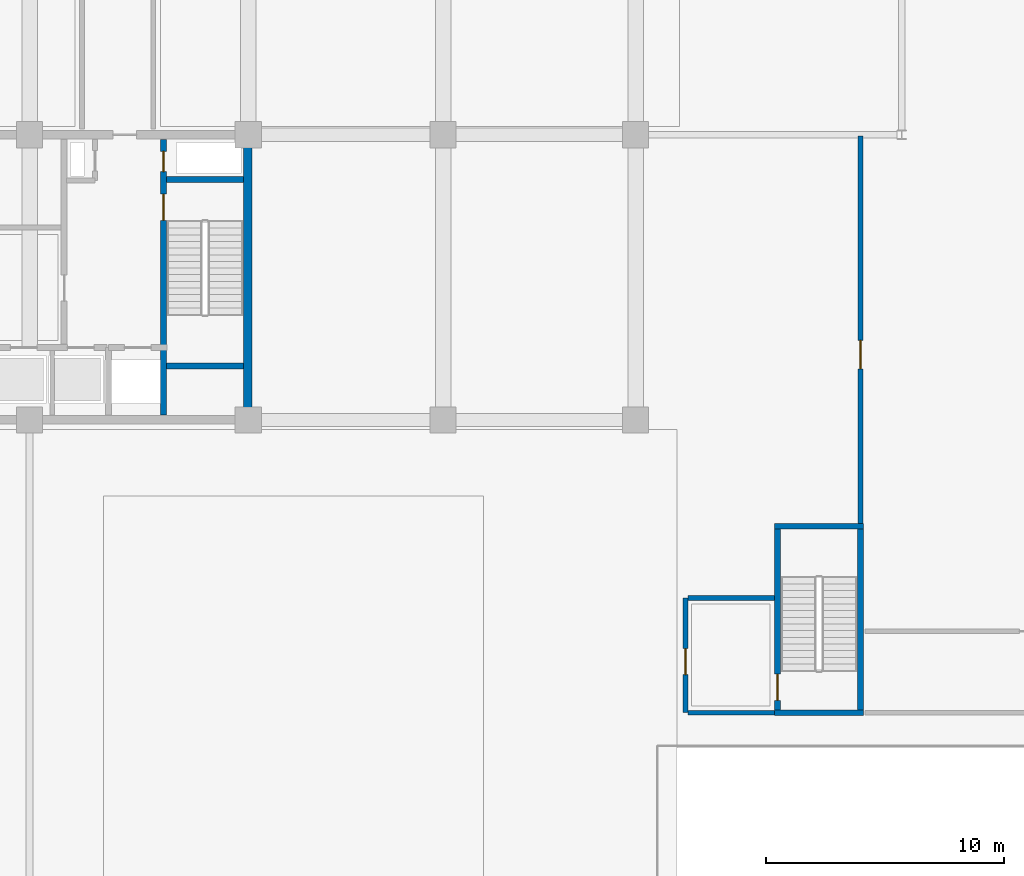
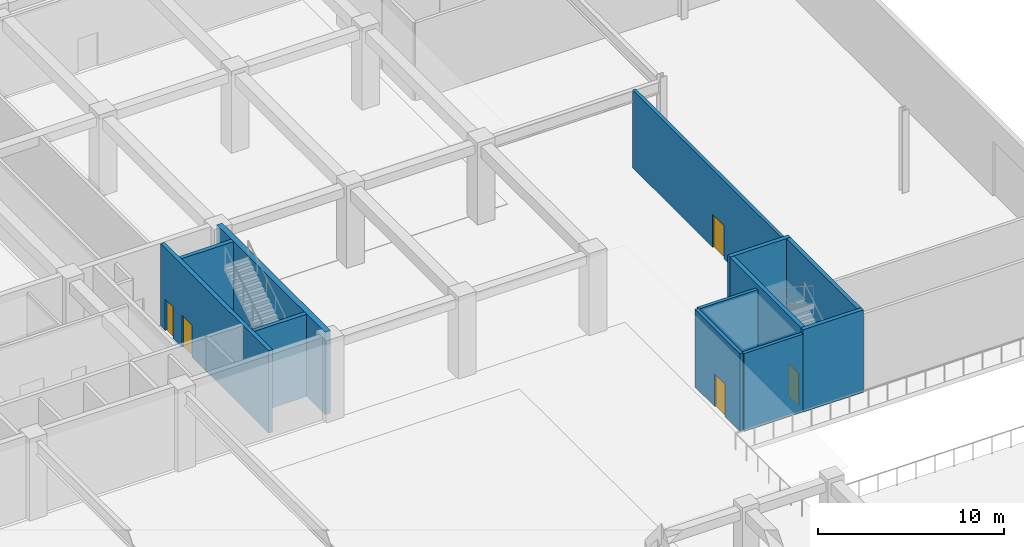
# One storey, part 28 of 46: 12 walls, 5 doors, 5 openings.
"""IFC4 building model written with IfcOpenShell, lengths in metres."""

from ifc_helpers import new_model, si_unit, direction, frame, frame_2d, origin, place, context, subcontext, project, spatial, rectangle, extrude, material, layer, layer_set, type_object, element, fill, save


model = new_model("IFC4")

# Units and contexts
model_context = context("Model", 3, precision=1e-05, world=origin(), true_north=direction((0.0, 1.0)))
body_context = subcontext(model_context, "Body", "Model", "MODEL_VIEW")
ifc_project = project(units=[si_unit("LENGTHUNIT", "METRE"), si_unit("AREAUNIT", "SQUARE_METRE"), si_unit("VOLUMEUNIT", "CUBIC_METRE"), si_unit("PLANEANGLEUNIT", "RADIAN"), si_unit("MASSUNIT", "GRAM", prefix="KILO")], contexts=[model_context])

# Site, building, storey
site_placement = place(None, origin())
site = spatial("IfcSite", under=ifc_project, at=site_placement, CompositionType="ELEMENT")
building_placement = place(site_placement, origin())
building = spatial("IfcBuilding", under=site, at=building_placement, Name="Korimba Cascade Residences", CompositionType="ELEMENT")
storey_placement = place(building_placement, origin())
storey = spatial("IfcBuildingStorey", under=building, at=storey_placement, Name="L00", CompositionType="ELEMENT", Elevation=0.0)

# Wall
ifc_material_1 = material(Name="Concrete C65/80", Category="concrete")
ifc_layer_1 = layer(ifc_material_1, 0.35009765625)
ifc_layer_set_1 = layer_set([ifc_layer_1], Name="Concrete C65/80")
wall_type_1 = type_object("IfcWallType", Name="WAL-CORE-350", PredefinedType="SHEAR", material=ifc_layer_set_1)
wall_1_placement = place(storey_placement, frame((112.074951171875, 55.375, 0.0), z_axis=(0.0, 0.0, 1.0), x_axis=(0.0, 1.0, 0.0)))
element("IfcWall", 1, at=wall_1_placement, inside=storey, type_object=wall_type_1, Name="L00 Core Shear Wall CW-L00-T1-E", PredefinedType="SHEAR", context=body_context, shape_type="SweptSolid", body=[
    extrude(rectangle(XDim=11.64990234375, YDim=0.35009765625, at=frame_2d((5.824951171875, 0.0))), origin(), (0.0, 0.0, 1.0), 5.39990234375),
])

# Wall, opening, door
ifc_material_2 = material(Name="Concrete C40/50", Category="concrete")
ifc_layer_2 = layer(ifc_material_2, 0.199951171875)
ifc_layer_set_2 = layer_set([ifc_layer_2], Name="Concrete C40/50")
wall_type_2 = type_object("IfcWallType", Name="WAL-PART-200", PredefinedType="PARTITIONING", material=ifc_layer_set_2)
wall_2_placement = place(storey_placement, frame((130.5, 42.875, 0.0), z_axis=(0.0, 0.0, 1.0), x_axis=(0.0, 1.0, 0.0)))
wall_2 = element("IfcWall", 2, at=wall_2_placement, inside=storey, type_object=wall_type_2, Name="L00 Partition Wall CW-L00-PLEW", PredefinedType="PARTITIONING", context=body_context, shape_type="SweptSolid", body=[
    extrude(rectangle(XDim=4.824951171875, YDim=0.199951171875, at=frame_2d((2.41259765625, 0.0))), origin(), (0.0, 0.0, 1.0), 5.10009765625),
])
opening_1_placement = place(wall_2_placement, frame((1.60009765625, 0.0, 0.0)))
opening_1 = element("IfcOpeningElement", 3, at=opening_1_placement, cuts=wall_2, Name="Opening D-FD6", PredefinedType="OPENING", context=body_context, shape_type="SweptSolid", body=[
    extrude(rectangle(XDim=1.10009765625, YDim=2.14990234375, at=frame_2d((0.550048828125, 1.074951171875))), frame((0.0, 0.10986328125, 0.0), z_axis=(0.0, -1.0, 0.0), x_axis=(1.0, 0.0, 0.0)), (0.0, 0.0, 1.0), 0.219970703125),
])
ifc_material_3 = material(Name="Fire-Rated Timber Stair Lobby Door", Category="wood")
door_type_1 = type_object("IfcDoorType", Name="DR-FD90-1100", OperationType="NOTDEFINED", PredefinedType="DOOR", material=ifc_material_3)
door_1_placement = place(opening_1_placement, origin())
door_1 = element("IfcDoor", 4, at=door_1_placement, inside=storey, type_object=door_type_1, Name="L00 East Stair Vestibule Door", OperationType="SINGLE_SWING_RIGHT", OverallHeight=2.14990234375, OverallWidth=1.10009765625, PredefinedType="DOOR", context=body_context, shape_type="SweptSolid", body=[
    extrude(rectangle(XDim=1.10009765625, YDim=2.14990234375, at=frame_2d((0.550048828125, 1.074951171875))), frame((0.0, 0.02490234375, 0.0), z_axis=(0.0, -1.0, 0.0), x_axis=(1.0, 0.0, 0.0)), (0.0, 0.0, 1.0), 0.050048828125),
])
fill(opening_1, door_1)

# Walls
for number, where, z_axis, x_axis, name in (
    (5, (130.60009765625, 47.699951171875, 0.0), (0.0, 0.0, 1.0), (1.0, 0.0, 0.0), "L00 Partition Wall CW-L00-PLEN"),
    (6, (130.60009765625, 42.875, 0.0), (0.0, 0.0, 1.0), (1.0, 0.0, 0.0), "L00 Partition Wall WAL-L00-XPES1"),
):
    element("IfcWall", number, at=place(storey_placement, frame(where, z_axis=z_axis, x_axis=x_axis)), inside=storey, type_object=wall_type_2, Name=name, PredefinedType="PARTITIONING", context=body_context, shape_type="SweptSolid", body=[
        extrude(rectangle(XDim=3.64990234375, YDim=0.199951171875, at=frame_2d((1.824951171875, 0.0))), origin(), (0.0, 0.0, 1.0), 5.10009765625),
    ])

# Wall, opening, door
wall_3_placement = place(storey_placement, frame((137.864990234375, 50.85009765625, 0.0), z_axis=(0.0, 0.0, 1.0), x_axis=(0.0, 1.0, 0.0)))
wall_3 = element("IfcWall", 7, at=wall_3_placement, inside=storey, type_object=wall_type_2, Name="L00 Partition Wall WAL-L00-DCKW", PredefinedType="PARTITIONING", context=body_context, shape_type="SweptSolid", body=[
    extrude(rectangle(XDim=16.2998046875, YDim=0.199951171875, at=frame_2d((8.14990234375, 0.0))), origin(), (0.0, 0.0, 1.0), 5.10009765625),
])
opening_2_placement = place(wall_3_placement, frame((6.5, 0.0, 0.0)))
opening_2 = element("IfcOpeningElement", 8, at=opening_2_placement, cuts=wall_3, Name="Opening D-FD3", PredefinedType="OPENING", context=body_context, shape_type="SweptSolid", body=[
    extrude(rectangle(XDim=1.199951171875, YDim=2.14990234375, at=frame_2d((0.60009765625, 1.074951171875))), frame((0.0, 0.10986328125, 0.0), z_axis=(0.0, -1.0, 0.0), x_axis=(1.0, 0.0, 0.0)), (0.0, 0.0, 1.0), 0.219970703125),
])
ifc_material_4 = material(Name="Fire-Rated Steel Plant Door", Category="steel")
door_type_2 = type_object("IfcDoorType", Name="DR-FD120-1200", OperationType="NOTDEFINED", PredefinedType="DOOR", material=ifc_material_4)
door_2_placement = place(opening_2_placement, origin())
door_2 = element("IfcDoor", 9, at=door_2_placement, inside=storey, type_object=door_type_2, Name="L00 Loading Bay Fire Door", OperationType="SINGLE_SWING_RIGHT", OverallHeight=2.14990234375, OverallWidth=1.199951171875, PredefinedType="DOOR", context=body_context, shape_type="SweptSolid", body=[
    extrude(rectangle(XDim=1.199951171875, YDim=2.14990234375, at=frame_2d((0.60009765625, 1.074951171875))), frame((0.0, 0.02490234375, 0.0), z_axis=(0.0, -1.0, 0.0), x_axis=(1.0, 0.0, 0.0)), (0.0, 0.0, 1.0), 0.050048828125),
])
fill(opening_2, door_2)

# Wall, openings, doors
ifc_material_5 = material(Name="Concrete C50/60", Category="concrete")
ifc_layer_3 = layer(ifc_material_5, 0.25)
ifc_layer_set_3 = layer_set([ifc_layer_3], Name="Concrete C50/60")
wall_type_3 = type_object("IfcWallType", Name="WAL-SHAFT-250", PredefinedType="SHEAR", material=ifc_layer_set_3)
wall_4_placement = place(storey_placement, frame((108.534912109375, 55.39990234375, 0.0), z_axis=(0.0, 0.0, 1.0), x_axis=(0.0, 1.0, 0.0)))
wall_4 = element("IfcWall", 10, at=wall_4_placement, inside=storey, type_object=wall_type_3, Name="L00 Core Shear Wall CW-L00-T1-STW2W", PredefinedType="SHEAR", context=body_context, shape_type="SweptSolid", body=[
    extrude(rectangle(XDim=11.60009765625, YDim=0.25, at=frame_2d((5.800048828125, 0.0))), origin(), (0.0, 0.0, 1.0), 5.39990234375),
])
opening_3_placement = place(wall_4_placement, frame((8.199951171875, 0.0, 0.0)))
opening_3 = element("IfcOpeningElement", 11, at=opening_3_placement, cuts=wall_4, Name="Opening D-FD1", PredefinedType="OPENING", context=body_context, shape_type="SweptSolid", body=[
    extrude(rectangle(XDim=1.10009765625, YDim=2.10009765625, at=frame_2d((0.550048828125, 1.050048828125))), frame((0.0, 0.135009765625, 0.0), z_axis=(0.0, -1.0, 0.0), x_axis=(1.0, 0.0, 0.0)), (0.0, 0.0, 1.0), 0.27001953125),
])
opening_4_placement = place(wall_4_placement, frame((10.25, 0.0, 0.0)))
opening_4 = element("IfcOpeningElement", 12, at=opening_4_placement, cuts=wall_4, Name="Opening D-RS1", PredefinedType="OPENING", context=body_context, shape_type="SweptSolid", body=[
    extrude(rectangle(XDim=0.85009765625, YDim=2.050048828125, at=frame_2d((0.425048828125, 1.02490234375))), frame((0.0, 0.135009765625, 0.0), z_axis=(0.0, -1.0, 0.0), x_axis=(1.0, 0.0, 0.0)), (0.0, 0.0, 1.0), 0.27001953125),
])
ifc_material_6 = material(Name="Fire-Rated Steel Core Door", Category="steel")
door_type_3 = type_object("IfcDoorType", Name="DR-FD120-1100", OperationType="NOTDEFINED", PredefinedType="DOOR", material=ifc_material_6)
door_3_placement = place(opening_3_placement, origin())
door_3 = element("IfcDoor", 13, at=door_3_placement, inside=storey, type_object=door_type_3, Name="L00 Fire Stair ST-W2 Door", OperationType="SINGLE_SWING_RIGHT", OverallHeight=2.10009765625, OverallWidth=1.10009765625, PredefinedType="DOOR", context=body_context, shape_type="SweptSolid", body=[
    extrude(rectangle(XDim=1.10009765625, YDim=2.10009765625, at=frame_2d((0.550048828125, 1.050048828125))), frame((0.0, 0.02490234375, 0.0), z_axis=(0.0, -1.0, 0.0), x_axis=(1.0, 0.0, 0.0)), (0.0, 0.0, 1.0), 0.050048828125),
])
fill(opening_3, door_3)
ifc_material_7 = material(Name="Fire-Rated Steel Riser Access Door", Category="steel")
door_type_4 = type_object("IfcDoorType", Name="DR-FD60-850", OperationType="NOTDEFINED", PredefinedType="DOOR", material=ifc_material_7)
door_4_placement = place(opening_4_placement, origin())
door_4 = element("IfcDoor", 14, at=door_4_placement, inside=storey, type_object=door_type_4, Name="L00 East Riser Door", OperationType="SINGLE_SWING_LEFT", OverallHeight=2.050048828125, OverallWidth=0.85009765625, PredefinedType="DOOR", context=body_context, shape_type="SweptSolid", body=[
    extrude(rectangle(XDim=0.85009765625, YDim=2.050048828125, at=frame_2d((0.425048828125, 1.02490234375))), frame((0.0, 0.02490234375, 0.0), z_axis=(0.0, -1.0, 0.0), x_axis=(1.0, 0.0, 0.0)), (0.0, 0.0, 1.0), 0.050048828125),
])
fill(opening_4, door_4)

# Walls
for number, where, z_axis, x_axis, name in (
    (15, (108.659912109375, 57.47509765625, 0.0), (0.0, 0.0, 1.0), (1.0, 0.0, 0.0), "L00 Core Shear Wall CW-L00-T1-STW2S"),
    (16, (108.659912109375, 65.324951171875, 0.0), (0.0, 0.0, 1.0), (1.0, 0.0, 0.0), "L00 Core Shear Wall CW-L00-T1-STW2N"),
):
    element("IfcWall", number, at=place(storey_placement, frame(where, z_axis=z_axis, x_axis=x_axis)), inside=storey, type_object=wall_type_3, Name=name, PredefinedType="SHEAR", context=body_context, shape_type="SweptSolid", body=[
        extrude(rectangle(XDim=3.239990234375, YDim=0.25, at=frame_2d((1.6201171875, 0.0))), origin(), (0.0, 0.0, 1.0), 5.39990234375),
    ])

# Wall, opening, door
wall_5_placement = place(storey_placement, frame((134.375, 43.0, 0.0), z_axis=(0.0, 0.0, 1.0), x_axis=(0.0, 1.0, 0.0)))
wall_5 = element("IfcWall", 17, at=wall_5_placement, inside=storey, type_object=wall_type_3, Name="L00 Core Shear Wall CW-L00-STP2W", PredefinedType="SHEAR", context=body_context, shape_type="SweptSolid", body=[
    extrude(rectangle(XDim=7.60009765625, YDim=0.25, at=frame_2d((3.800048828125, 0.0))), origin(), (0.0, 0.0, 1.0), 5.39990234375),
])
opening_5_placement = place(wall_5_placement, frame((0.39990234375, 0.0, 0.0)))
opening_5 = element("IfcOpeningElement", 18, at=opening_5_placement, cuts=wall_5, Name="Opening D-FD1", PredefinedType="OPENING", context=body_context, shape_type="SweptSolid", body=[
    extrude(rectangle(XDim=1.10009765625, YDim=2.10009765625, at=frame_2d((0.550048828125, 1.050048828125))), frame((0.0, 0.135009765625, 0.0), z_axis=(0.0, -1.0, 0.0), x_axis=(1.0, 0.0, 0.0)), (0.0, 0.0, 1.0), 0.27001953125),
])
door_5_placement = place(opening_5_placement, origin())
door_5 = element("IfcDoor", 19, at=door_5_placement, inside=storey, type_object=door_type_3, Name="L00 Podium Stair ST-P2 Door", OperationType="SINGLE_SWING_LEFT", OverallHeight=2.10009765625, OverallWidth=1.10009765625, PredefinedType="DOOR", context=body_context, shape_type="SweptSolid", body=[
    extrude(rectangle(XDim=1.10009765625, YDim=2.10009765625, at=frame_2d((0.550048828125, 1.050048828125))), frame((0.0, 0.02490234375, 0.0), z_axis=(0.0, -1.0, 0.0), x_axis=(1.0, 0.0, 0.0)), (0.0, 0.0, 1.0), 0.050048828125),
])
fill(opening_5, door_5)

# Walls
wall_6_placement = place(storey_placement, frame((137.864990234375, 43.0, 0.0), z_axis=(0.0, 0.0, 1.0), x_axis=(0.0, 1.0, 0.0)))
element("IfcWall", 20, at=wall_6_placement, inside=storey, type_object=wall_type_3, Name="L00 Core Shear Wall CW-L00-STP2E", PredefinedType="SHEAR", context=body_context, shape_type="SweptSolid", body=[
    extrude(rectangle(XDim=7.60009765625, YDim=0.25, at=frame_2d((3.800048828125, 0.0))), origin(), (0.0, 0.0, 1.0), 5.39990234375),
])
for number, where, z_axis, x_axis, name in (
    (21, (134.25, 42.875, 0.0), (0.0, 0.0, 1.0), (1.0, 0.0, 0.0), "L00 Core Shear Wall CW-L00-STP2S"),
    (22, (134.25, 50.72509765625, 0.0), (0.0, 0.0, 1.0), (1.0, 0.0, 0.0), "L00 Core Shear Wall CW-L00-STP2N"),
):
    element("IfcWall", number, at=place(storey_placement, frame(where, z_axis=z_axis, x_axis=x_axis)), inside=storey, type_object=wall_type_3, Name=name, PredefinedType="SHEAR", context=body_context, shape_type="SweptSolid", body=[
        extrude(rectangle(XDim=3.739990234375, YDim=0.25, at=frame_2d((1.8701171875, 0.0))), origin(), (0.0, 0.0, 1.0), 5.39990234375),
    ])

save(model, "model.ifc")
